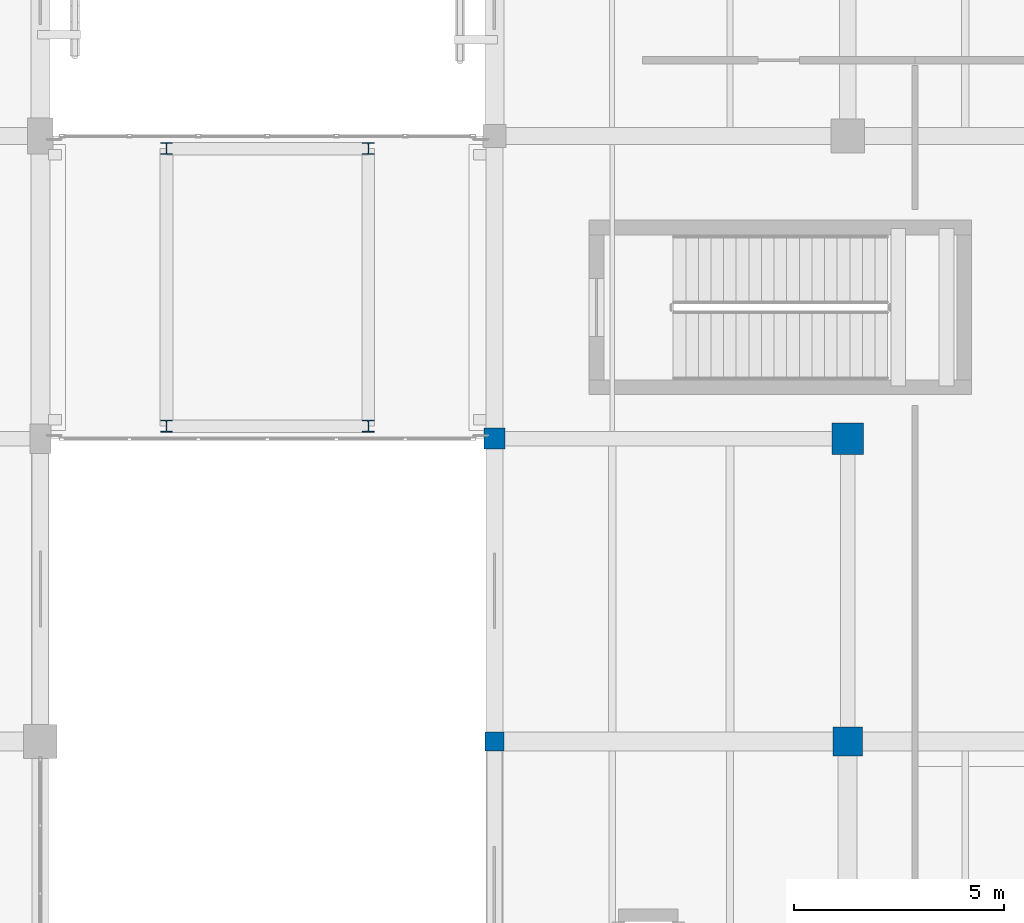
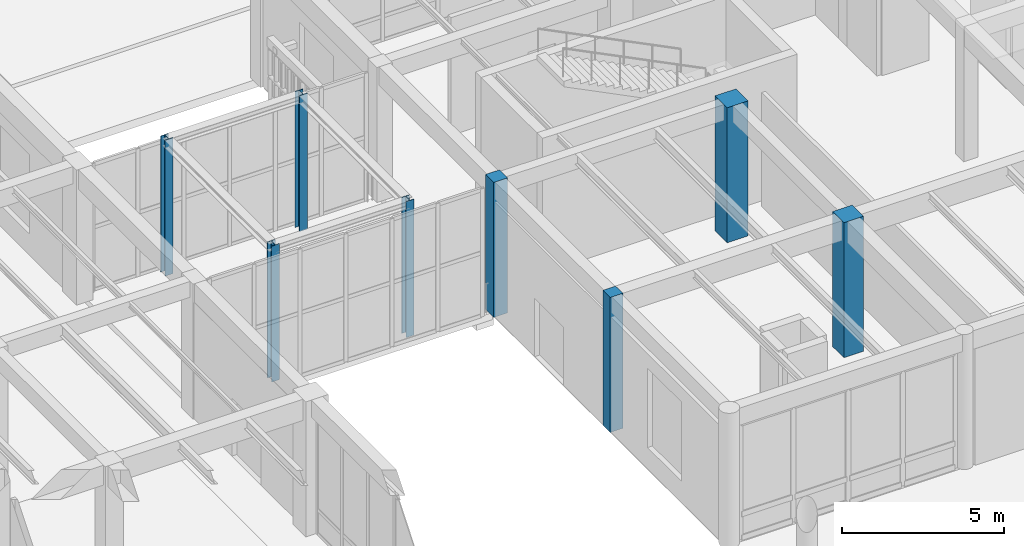
# One storey, part 2 of 169: 8 columns.
"""IFC4 building model written with IfcOpenShell, lengths in metres."""

from ifc_helpers import new_model, si_unit, direction, frame, origin, origin_2d, place, context, subcontext, project, spatial, rectangle, i_section, extrude, material, material_profile, profile_set, type_object, element, save


model = new_model("IFC4")

# Units and contexts
model_context = context("Model", 3, precision=1e-05, world=origin(), true_north=direction((0.0, 1.0)))
body_context = subcontext(model_context, "Body", "Model", "MODEL_VIEW")
ifc_project = project(units=[si_unit("LENGTHUNIT", "METRE"), si_unit("AREAUNIT", "SQUARE_METRE"), si_unit("VOLUMEUNIT", "CUBIC_METRE"), si_unit("PLANEANGLEUNIT", "RADIAN"), si_unit("MASSUNIT", "GRAM", prefix="KILO")], contexts=[model_context])

# Site, building, storey
site_placement = place(None, origin())
site = spatial("IfcSite", under=ifc_project, at=site_placement, CompositionType="ELEMENT")
building_placement = place(site_placement, origin())
building = spatial("IfcBuilding", under=site, at=building_placement, Name="Mazaris Harbour Polytechnic", CompositionType="ELEMENT")
storey_placement = place(building_placement, origin())
storey = spatial("IfcBuildingStorey", under=building, at=storey_placement, Name="L00", CompositionType="ELEMENT", Elevation=0.0)

# Columns
ifc_material_1 = material(Name="Concrete C40/50", Category="concrete")
ifc_material_profile_1 = material_profile(ifc_material_1, rectangle(XDim=0.449951171875, YDim=0.449951171875, at=origin_2d()), Name="RECT450x450")
ifc_profile_set_1 = profile_set([ifc_material_profile_1], Name="Concrete C40/50")
column_type_1 = type_object("IfcColumnType", Name="RC Column 450x450 Exterior", PredefinedType="COLUMN", material=ifc_profile_set_1)
column_1_placement = place(storey_placement, frame((54.0, 14.39990234375, 0.0), z_axis=(0.0, 0.0, 1.0), x_axis=(1.0, 0.0, 0.0)))
element("IfcColumn", 1, at=column_1_placement, inside=storey, type_object=column_type_1, Name="V3 L00 Column 429", PredefinedType="COLUMN", context=body_context, shape_type="SweptSolid", body=[
    extrude(rectangle(XDim=0.449951171875, YDim=0.449951171875, at=origin_2d()), origin(), (0.0, 0.0, 1.0), 5.10009765625),
])
ifc_material_2 = material(Name="Concrete C40/50", Category="concrete")
ifc_material_profile_2 = material_profile(ifc_material_2, rectangle(XDim=0.5, YDim=0.5, at=origin_2d()), Name="RECT500x500")
ifc_profile_set_2 = profile_set([ifc_material_profile_2], Name="Concrete C40/50")
column_type_2 = type_object("IfcColumnType", Name="RC Column 500x500 Exterior", PredefinedType="COLUMN", material=ifc_profile_set_2)
column_2_placement = place(storey_placement, frame((54.0, 21.60009765625, 0.0), z_axis=(0.0, 0.0, 1.0), x_axis=(1.0, 0.0, 0.0)))
element("IfcColumn", 2, at=column_2_placement, inside=storey, type_object=column_type_2, Name="V3 L00 Column 430", PredefinedType="COLUMN", context=body_context, shape_type="SweptSolid", body=[
    extrude(rectangle(XDim=0.5, YDim=0.5, at=origin_2d()), origin(), (0.0, 0.0, 1.0), 5.10009765625),
])
ifc_material_3 = material(Name="Concrete C40/50", Category="concrete")
ifc_material_profile_3 = material_profile(ifc_material_3, rectangle(XDim=0.699951171875, YDim=0.699951171875, at=origin_2d()), Name="RECT700x700")
ifc_profile_set_3 = profile_set([ifc_material_profile_3], Name="Concrete C40/50")
column_type_3 = type_object("IfcColumnType", Name="RC Column 700x700", PredefinedType="COLUMN", material=ifc_profile_set_3)
column_3_placement = place(storey_placement, frame((62.39990234375, 14.39990234375, 0.0), z_axis=(0.0, 0.0, 1.0), x_axis=(1.0, 0.0, 0.0)))
element("IfcColumn", 3, at=column_3_placement, inside=storey, type_object=column_type_3, Name="V3 L00 Column 434", PredefinedType="COLUMN", context=body_context, shape_type="SweptSolid", body=[
    extrude(rectangle(XDim=0.699951171875, YDim=0.699951171875, at=origin_2d()), origin(), (0.0, 0.0, 1.0), 5.10009765625),
])
ifc_material_4 = material(Name="Concrete C40/50", Category="concrete")
ifc_material_profile_4 = material_profile(ifc_material_4, rectangle(XDim=0.75, YDim=0.75, at=origin_2d()), Name="RECT750x750")
ifc_profile_set_4 = profile_set([ifc_material_profile_4], Name="Concrete C40/50")
column_type_4 = type_object("IfcColumnType", Name="RC Column 750x750", PredefinedType="COLUMN", material=ifc_profile_set_4)
column_4_placement = place(storey_placement, frame((62.39990234375, 21.60009765625, 0.0), z_axis=(0.0, 0.0, 1.0), x_axis=(1.0, 0.0, 0.0)))
element("IfcColumn", 4, at=column_4_placement, inside=storey, type_object=column_type_4, Name="V3 L00 Column 435", PredefinedType="COLUMN", context=body_context, shape_type="SweptSolid", body=[
    extrude(rectangle(XDim=0.75, YDim=0.75, at=origin_2d()), origin(), (0.0, 0.0, 1.0), 5.10009765625),
])
ifc_material_5 = material(Name="Steel S355", Category="steel")
ifc_material_profile_5 = material_profile(ifc_material_5, i_section(OverallWidth=0.280029296875, OverallDepth=0.280029296875, WebThickness=0.010498046875, FlangeThickness=0.01806640625, FilletRadius=0.02392578125, at=origin_2d()), Name="HEB 280")
ifc_profile_set_5 = profile_set([ifc_material_profile_5], Name="Steel S355")
column_type_5 = type_object("IfcColumnType", Name="Steel Column HEB280 Exterior", PredefinedType="COLUMN", material=ifc_profile_set_5)
for number, where, z_axis, x_axis, name in (
    (5, (46.199951171875, 21.89990234375, 0.0), (0.0, 0.0, 1.0), (1.0, 0.0, 0.0), "PB-W1 L00 Bridge Column 1512"),
    (6, (51.0, 21.89990234375, 0.0), (0.0, 0.0, 1.0), (1.0, 0.0, 0.0), "PB-W1 L00 Bridge Column 1513"),
    (7, (46.199951171875, 28.5, 0.0), (0.0, 0.0, 1.0), (1.0, 0.0, 0.0), "PB-W1 L00 Bridge Column 1514"),
    (8, (51.0, 28.5, 0.0), (0.0, 0.0, 1.0), (1.0, 0.0, 0.0), "PB-W1 L00 Bridge Column 1515"),
):
    element("IfcColumn", number, at=place(storey_placement, frame(where, z_axis=z_axis, x_axis=x_axis)), inside=storey, type_object=column_type_5, Name=name, PredefinedType="COLUMN", context=body_context, shape_type="SweptSolid", body=[
        extrude(i_section(OverallWidth=0.280029296875, OverallDepth=0.280029296875, WebThickness=0.010498046875, FlangeThickness=0.01806640625, FilletRadius=0.02392578125, at=origin_2d()), origin(), (0.0, 0.0, 1.0), 5.135009765625),
    ])

save(model, "model.ifc")
